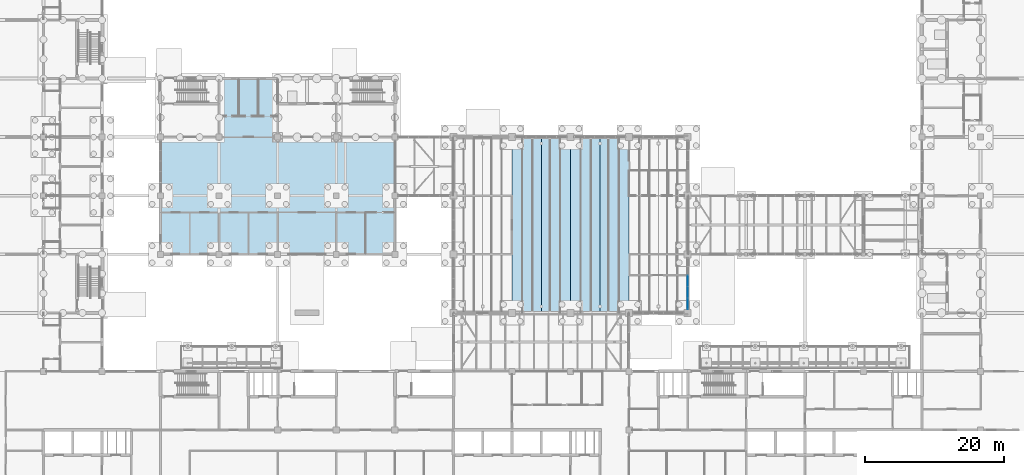
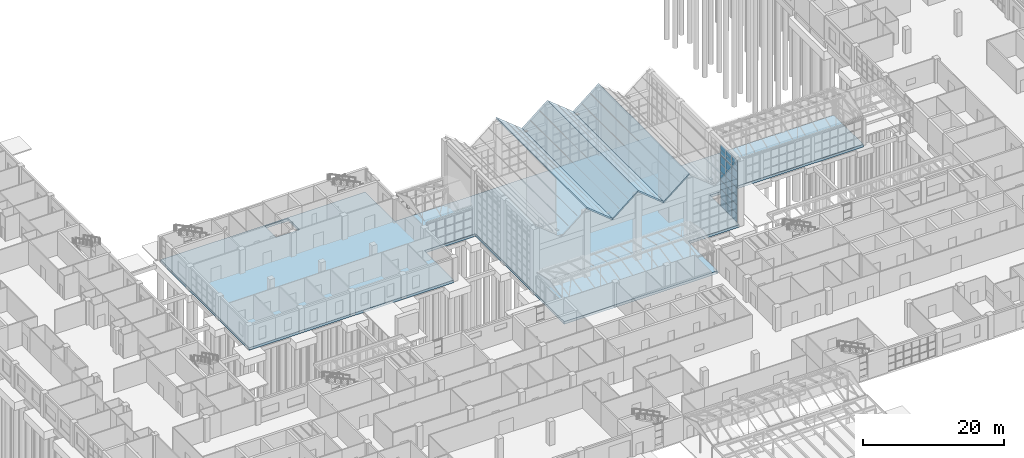
# One storey, part 85 of 138: 24 plates, 5 slabs, 3 elements without a shape of their own.
"""IFC4 building model written with IfcOpenShell, lengths in metres."""

from ifc_helpers import new_model, si_unit, direction, frame, origin, origin_2d, place, context, subcontext, project, spatial, polyline, rectangle, outline, extrude, material, layer, layer_set, type_object, element, aggregate, save


model = new_model("IFC4")

# Units and contexts
model_context = context("Model", 3, precision=1e-05, world=origin(), true_north=direction((0.0, 1.0)))
body_context = subcontext(model_context, "Body", "Model", "MODEL_VIEW")
ifc_project = project(units=[si_unit("LENGTHUNIT", "METRE"), si_unit("AREAUNIT", "SQUARE_METRE"), si_unit("VOLUMEUNIT", "CUBIC_METRE"), si_unit("PLANEANGLEUNIT", "RADIAN"), si_unit("MASSUNIT", "GRAM", prefix="KILO")], contexts=[model_context])

# Site, building, storey
site_placement = place(None, origin())
site = spatial("IfcSite", under=ifc_project, at=site_placement, CompositionType="ELEMENT")
building_placement = place(site_placement, origin())
building = spatial("IfcBuilding", under=site, at=building_placement, Name="Yavir Park General Hospital", CompositionType="ELEMENT")
storey_placement = place(building_placement, origin())
storey = spatial("IfcBuildingStorey", under=building, at=storey_placement, Name="L00", CompositionType="ELEMENT", Elevation=0.0)

# Curtain wall, plates
ifc_material_1 = material(Name="Aluminium curtain wall frame with insulated glazing", Category="aluminium")
curtain_wall_type_1 = type_object("IfcCurtainWallType", Name="Main hall glazing, clerestory band, 1970 high, 1400 module", PredefinedType="NOTDEFINED", material=ifc_material_1)
curtain_wall_1_placement = place(storey_placement, origin())
curtain_wall_1 = element("IfcCurtainWall", 1, at=curtain_wall_1_placement, inside=storey, type_object=curtain_wall_type_1, Name="CW35 L00-060", PredefinedType="NOTDEFINED")
ifc_material_2 = material(Name="Insulated glazed unit 30 mm, low-e coating")
ifc_layer_1 = layer(ifc_material_2, 0.0400390625)
ifc_layer_set_1 = layer_set([ifc_layer_1], Name="Insulated glazed unit 30 mm, low-e coating")
plate_type_1 = type_object("IfcPlateType", Name="Main hall glazing, clerestory band, 1970 high panel 40", PredefinedType="CURTAIN_PANEL", material=ifc_layer_set_1)
plate_1_placement = place(storey_placement, frame((109.199951171875, 43.3291015625, 8.89501953125), z_axis=(0.0, 0.0, 1.0), x_axis=(0.0, 1.0, 0.0)))
plate_1 = element("IfcPlate", 2, at=plate_1_placement, type_object=plate_type_1, Name="CW35 panel 1.1", PredefinedType="CURTAIN_PANEL", context=body_context, shape_type="SweptSolid", body=[
    extrude(rectangle(XDim=1.558349609375, YDim=0.0400390625, at=origin_2d()), origin(), (0.0, 0.0, 1.0), 0.909912109375),
])
plate_2_placement = place(storey_placement, frame((109.199951171875, 43.3291015625, 9.85498046875), z_axis=(0.0, 0.0, 1.0), x_axis=(0.0, 1.0, 0.0)))
plate_2 = element("IfcPlate", 3, at=plate_2_placement, type_object=plate_type_1, Name="CW35 panel 1.2", PredefinedType="CURTAIN_PANEL", context=body_context, shape_type="SweptSolid", body=[
    extrude(rectangle(XDim=1.558349609375, YDim=0.0400390625, at=origin_2d()), origin(), (0.0, 0.0, 1.0), 0.909912109375),
])
plate_3_placement = place(storey_placement, frame((109.199951171875, 44.949951171875, 8.89501953125), z_axis=(0.0, 0.0, 1.0), x_axis=(0.0, 1.0, 0.0)))
plate_3 = element("IfcPlate", 4, at=plate_3_placement, type_object=plate_type_1, Name="CW35 panel 2.1", PredefinedType="CURTAIN_PANEL", context=body_context, shape_type="SweptSolid", body=[
    extrude(rectangle(XDim=1.583251953125, YDim=0.0400390625, at=origin_2d()), origin(), (0.0, 0.0, 1.0), 0.909912109375),
])
plate_4_placement = place(storey_placement, frame((109.199951171875, 44.949951171875, 9.85498046875), z_axis=(0.0, 0.0, 1.0), x_axis=(0.0, 1.0, 0.0)))
plate_4 = element("IfcPlate", 5, at=plate_4_placement, type_object=plate_type_1, Name="CW35 panel 2.2", PredefinedType="CURTAIN_PANEL", context=body_context, shape_type="SweptSolid", body=[
    extrude(rectangle(XDim=1.583251953125, YDim=0.0400390625, at=origin_2d()), origin(), (0.0, 0.0, 1.0), 0.909912109375),
])
plate_5_placement = place(storey_placement, frame((109.199951171875, 46.57080078125, 8.89501953125), z_axis=(0.0, 0.0, 1.0), x_axis=(0.0, 1.0, 0.0)))
plate_5 = element("IfcPlate", 6, at=plate_5_placement, type_object=plate_type_1, Name="CW35 panel 3.1", PredefinedType="CURTAIN_PANEL", context=body_context, shape_type="SweptSolid", body=[
    extrude(rectangle(XDim=1.558349609375, YDim=0.0400390625, at=origin_2d()), origin(), (0.0, 0.0, 1.0), 0.909912109375),
])
plate_6_placement = place(storey_placement, frame((109.199951171875, 46.57080078125, 9.85498046875), z_axis=(0.0, 0.0, 1.0), x_axis=(0.0, 1.0, 0.0)))
plate_6 = element("IfcPlate", 7, at=plate_6_placement, type_object=plate_type_1, Name="CW35 panel 3.2", PredefinedType="CURTAIN_PANEL", context=body_context, shape_type="SweptSolid", body=[
    extrude(rectangle(XDim=1.558349609375, YDim=0.0400390625, at=origin_2d()), origin(), (0.0, 0.0, 1.0), 0.909912109375),
])
aggregate(curtain_wall_1, [plate_1, plate_2, plate_3, plate_4, plate_5, plate_6])

ifc_material_3 = material(Name="Aluminium curtain wall frame with insulated glazing", Category="aluminium")
curtain_wall_type_2 = type_object("IfcCurtainWallType", Name="Main hall glazing, lower band, 4500 high, 1400 module", PredefinedType="NOTDEFINED", material=ifc_material_3)
curtain_wall_2_placement = place(storey_placement, origin())
curtain_wall_2 = element("IfcCurtainWall", 8, at=curtain_wall_2_placement, inside=storey, type_object=curtain_wall_type_2, Name="CW33 L00-058", PredefinedType="NOTDEFINED")
ifc_material_4 = material(Name="Solar-control insulated glazed unit 40 mm")
ifc_layer_2 = layer(ifc_material_4, 0.050048828125)
ifc_layer_set_2 = layer_set([ifc_layer_2], Name="Solar-control insulated glazed unit 40 mm")
plate_type_2 = type_object("IfcPlateType", Name="Main hall glazing, lower band, 4500 high panel 50", PredefinedType="CURTAIN_PANEL", material=ifc_layer_set_2)
plate_7_placement = place(storey_placement, frame((109.199951171875, 43.331787109375, 0.06005859375), z_axis=(0.0, 0.0, 1.0), x_axis=(0.0, 1.0, 0.0)))
plate_7 = element("IfcPlate", 9, at=plate_7_placement, type_object=plate_type_2, Name="CW33 panel 1.1", PredefinedType="CURTAIN_PANEL", context=body_context, shape_type="SweptSolid", body=[
    extrude(rectangle(XDim=1.543212890625, YDim=0.050048828125, at=origin_2d()), origin(), (0.0, 0.0, 1.0), 1.409912109375),
])
plate_8_placement = place(storey_placement, frame((109.199951171875, 43.331787109375, 1.530029296875), z_axis=(0.0, 0.0, 1.0), x_axis=(0.0, 1.0, 0.0)))
plate_8 = element("IfcPlate", 10, at=plate_8_placement, type_object=plate_type_2, Name="CW33 panel 1.2", PredefinedType="CURTAIN_PANEL", context=body_context, shape_type="SweptSolid", body=[
    extrude(rectangle(XDim=1.543212890625, YDim=0.050048828125, at=origin_2d()), origin(), (0.0, 0.0, 1.0), 1.43994140625),
])
plate_9_placement = place(storey_placement, frame((109.199951171875, 43.331787109375, 3.0302734375), z_axis=(0.0, 0.0, 1.0), x_axis=(0.0, 1.0, 0.0)))
plate_9 = element("IfcPlate", 11, at=plate_9_placement, type_object=plate_type_2, Name="CW33 panel 1.3", PredefinedType="CURTAIN_PANEL", context=body_context, shape_type="SweptSolid", body=[
    extrude(rectangle(XDim=1.543212890625, YDim=0.050048828125, at=origin_2d()), origin(), (0.0, 0.0, 1.0), 1.409912109375),
])
plate_10_placement = place(storey_placement, frame((109.199951171875, 44.949951171875, 0.06005859375), z_axis=(0.0, 0.0, 1.0), x_axis=(0.0, 1.0, 0.0)))
plate_10 = element("IfcPlate", 12, at=plate_10_placement, type_object=plate_type_2, Name="CW33 panel 2.1", PredefinedType="CURTAIN_PANEL", context=body_context, shape_type="SweptSolid", body=[
    extrude(rectangle(XDim=1.5732421875, YDim=0.050048828125, at=origin_2d()), origin(), (0.0, 0.0, 1.0), 1.409912109375),
])
plate_11_placement = place(storey_placement, frame((109.199951171875, 44.949951171875, 1.530029296875), z_axis=(0.0, 0.0, 1.0), x_axis=(0.0, 1.0, 0.0)))
plate_11 = element("IfcPlate", 13, at=plate_11_placement, type_object=plate_type_2, Name="CW33 panel 2.2", PredefinedType="CURTAIN_PANEL", context=body_context, shape_type="SweptSolid", body=[
    extrude(rectangle(XDim=1.5732421875, YDim=0.050048828125, at=origin_2d()), origin(), (0.0, 0.0, 1.0), 1.43994140625),
])
plate_12_placement = place(storey_placement, frame((109.199951171875, 44.949951171875, 3.0302734375), z_axis=(0.0, 0.0, 1.0), x_axis=(0.0, 1.0, 0.0)))
plate_12 = element("IfcPlate", 14, at=plate_12_placement, type_object=plate_type_2, Name="CW33 panel 2.3", PredefinedType="CURTAIN_PANEL", context=body_context, shape_type="SweptSolid", body=[
    extrude(rectangle(XDim=1.5732421875, YDim=0.050048828125, at=origin_2d()), origin(), (0.0, 0.0, 1.0), 1.409912109375),
])
plate_13_placement = place(storey_placement, frame((109.199951171875, 46.568359375, 0.06005859375), z_axis=(0.0, 0.0, 1.0), x_axis=(0.0, 1.0, 0.0)))
plate_13 = element("IfcPlate", 15, at=plate_13_placement, type_object=plate_type_2, Name="CW33 panel 3.1", PredefinedType="CURTAIN_PANEL", context=body_context, shape_type="SweptSolid", body=[
    extrude(rectangle(XDim=1.543212890625, YDim=0.050048828125, at=origin_2d()), origin(), (0.0, 0.0, 1.0), 1.409912109375),
])
plate_14_placement = place(storey_placement, frame((109.199951171875, 46.568359375, 1.530029296875), z_axis=(0.0, 0.0, 1.0), x_axis=(0.0, 1.0, 0.0)))
plate_14 = element("IfcPlate", 16, at=plate_14_placement, type_object=plate_type_2, Name="CW33 panel 3.2", PredefinedType="CURTAIN_PANEL", context=body_context, shape_type="SweptSolid", body=[
    extrude(rectangle(XDim=1.543212890625, YDim=0.050048828125, at=origin_2d()), origin(), (0.0, 0.0, 1.0), 1.43994140625),
])
plate_15_placement = place(storey_placement, frame((109.199951171875, 46.568359375, 3.0302734375), z_axis=(0.0, 0.0, 1.0), x_axis=(0.0, 1.0, 0.0)))
plate_15 = element("IfcPlate", 17, at=plate_15_placement, type_object=plate_type_2, Name="CW33 panel 3.3", PredefinedType="CURTAIN_PANEL", context=body_context, shape_type="SweptSolid", body=[
    extrude(rectangle(XDim=1.543212890625, YDim=0.050048828125, at=origin_2d()), origin(), (0.0, 0.0, 1.0), 1.409912109375),
])
aggregate(curtain_wall_2, [plate_7, plate_8, plate_9, plate_10, plate_11, plate_12, plate_13, plate_14, plate_15])

ifc_material_5 = material(Name="Aluminium curtain wall frame with insulated glazing", Category="aluminium")
curtain_wall_type_3 = type_object("IfcCurtainWallType", Name="Main hall glazing, upper band, 4345 high, 1400 module", PredefinedType="NOTDEFINED", material=ifc_material_5)
curtain_wall_3_placement = place(storey_placement, origin())
curtain_wall_3 = element("IfcCurtainWall", 18, at=curtain_wall_3_placement, inside=storey, type_object=curtain_wall_type_3, Name="CW52 L00-059", PredefinedType="NOTDEFINED")
ifc_material_6 = material(Name="Solar-control insulated glazed unit 40 mm")
ifc_layer_3 = layer(ifc_material_6, 0.0400390625)
ifc_layer_set_3 = layer_set([ifc_layer_3], Name="Solar-control insulated glazed unit 40 mm")
plate_type_3 = type_object("IfcPlateType", Name="Main hall glazing, upper band, 4345 high panel 40", PredefinedType="CURTAIN_PANEL", material=ifc_layer_set_3)
plate_16_placement = place(storey_placement, frame((109.199951171875, 43.331787109375, 4.56005859375), z_axis=(0.0, 0.0, 1.0), x_axis=(0.0, 1.0, 0.0)))
plate_16 = element("IfcPlate", 19, at=plate_16_placement, type_object=plate_type_3, Name="CW52 panel 1.1", PredefinedType="CURTAIN_PANEL", context=body_context, shape_type="SweptSolid", body=[
    extrude(rectangle(XDim=1.543212890625, YDim=0.0400390625, at=origin_2d()), origin(), (0.0, 0.0, 1.0), 1.3583984375),
])
plate_17_placement = place(storey_placement, frame((109.199951171875, 43.331787109375, 5.978515625), z_axis=(0.0, 0.0, 1.0), x_axis=(0.0, 1.0, 0.0)))
plate_17 = element("IfcPlate", 20, at=plate_17_placement, type_object=plate_type_3, Name="CW52 panel 1.2", PredefinedType="CURTAIN_PANEL", context=body_context, shape_type="SweptSolid", body=[
    extrude(rectangle(XDim=1.543212890625, YDim=0.0400390625, at=origin_2d()), origin(), (0.0, 0.0, 1.0), 1.388427734375),
])
plate_18_placement = place(storey_placement, frame((109.199951171875, 43.331787109375, 7.426513671875), z_axis=(0.0, 0.0, 1.0), x_axis=(0.0, 1.0, 0.0)))
plate_18 = element("IfcPlate", 21, at=plate_18_placement, type_object=plate_type_3, Name="CW52 panel 1.3", PredefinedType="CURTAIN_PANEL", context=body_context, shape_type="SweptSolid", body=[
    extrude(rectangle(XDim=1.543212890625, YDim=0.0400390625, at=origin_2d()), origin(), (0.0, 0.0, 1.0), 1.3583984375),
])
plate_19_placement = place(storey_placement, frame((109.199951171875, 44.949951171875, 4.56005859375), z_axis=(0.0, 0.0, 1.0), x_axis=(0.0, 1.0, 0.0)))
plate_19 = element("IfcPlate", 22, at=plate_19_placement, type_object=plate_type_3, Name="CW52 panel 2.1", PredefinedType="CURTAIN_PANEL", context=body_context, shape_type="SweptSolid", body=[
    extrude(rectangle(XDim=1.5732421875, YDim=0.0400390625, at=origin_2d()), origin(), (0.0, 0.0, 1.0), 1.3583984375),
])
plate_20_placement = place(storey_placement, frame((109.199951171875, 44.949951171875, 5.978515625), z_axis=(0.0, 0.0, 1.0), x_axis=(0.0, 1.0, 0.0)))
plate_20 = element("IfcPlate", 23, at=plate_20_placement, type_object=plate_type_3, Name="CW52 panel 2.2", PredefinedType="CURTAIN_PANEL", context=body_context, shape_type="SweptSolid", body=[
    extrude(rectangle(XDim=1.5732421875, YDim=0.0400390625, at=origin_2d()), origin(), (0.0, 0.0, 1.0), 1.388427734375),
])
plate_21_placement = place(storey_placement, frame((109.199951171875, 44.949951171875, 7.426513671875), z_axis=(0.0, 0.0, 1.0), x_axis=(0.0, 1.0, 0.0)))
plate_21 = element("IfcPlate", 24, at=plate_21_placement, type_object=plate_type_3, Name="CW52 panel 2.3", PredefinedType="CURTAIN_PANEL", context=body_context, shape_type="SweptSolid", body=[
    extrude(rectangle(XDim=1.5732421875, YDim=0.0400390625, at=origin_2d()), origin(), (0.0, 0.0, 1.0), 1.3583984375),
])
plate_22_placement = place(storey_placement, frame((109.199951171875, 46.568359375, 4.56005859375), z_axis=(0.0, 0.0, 1.0), x_axis=(0.0, 1.0, 0.0)))
plate_22 = element("IfcPlate", 25, at=plate_22_placement, type_object=plate_type_3, Name="CW52 panel 3.1", PredefinedType="CURTAIN_PANEL", context=body_context, shape_type="SweptSolid", body=[
    extrude(rectangle(XDim=1.543212890625, YDim=0.0400390625, at=origin_2d()), origin(), (0.0, 0.0, 1.0), 1.3583984375),
])
plate_23_placement = place(storey_placement, frame((109.199951171875, 46.568359375, 5.978515625), z_axis=(0.0, 0.0, 1.0), x_axis=(0.0, 1.0, 0.0)))
plate_23 = element("IfcPlate", 26, at=plate_23_placement, type_object=plate_type_3, Name="CW52 panel 3.2", PredefinedType="CURTAIN_PANEL", context=body_context, shape_type="SweptSolid", body=[
    extrude(rectangle(XDim=1.543212890625, YDim=0.0400390625, at=origin_2d()), origin(), (0.0, 0.0, 1.0), 1.388427734375),
])
plate_24_placement = place(storey_placement, frame((109.199951171875, 46.568359375, 7.426513671875), z_axis=(0.0, 0.0, 1.0), x_axis=(0.0, 1.0, 0.0)))
plate_24 = element("IfcPlate", 27, at=plate_24_placement, type_object=plate_type_3, Name="CW52 panel 3.3", PredefinedType="CURTAIN_PANEL", context=body_context, shape_type="SweptSolid", body=[
    extrude(rectangle(XDim=1.543212890625, YDim=0.0400390625, at=origin_2d()), origin(), (0.0, 0.0, 1.0), 1.3583984375),
])
aggregate(curtain_wall_3, [plate_16, plate_17, plate_18, plate_19, plate_20, plate_21, plate_22, plate_23, plate_24])

# Slabs
ifc_material_7 = material(Name="Concrete C35/45", Category="concrete")
ifc_layer_4 = layer(ifc_material_7, 0.449951171875)
ifc_layer_set_4 = layer_set([ifc_layer_4], Name="Concrete C35/45")
slab_type_1 = type_object("IfcSlabType", Name="RC SLAB BASESLAB 450", PredefinedType="BASESLAB", material=ifc_layer_set_4)
slab_1_placement = place(storey_placement, frame((0.0, 0.0, -0.4501953125)))
element("IfcSlab", 28, at=slab_1_placement, inside=storey, type_object=slab_type_1, Name="S:L00:2", PredefinedType="BASESLAB", context=body_context, shape_type="SweptSolid", body=[
    extrude(outline(polyline([(75.60009765625, 58.800048828125), (75.60009765625, 33.60009765625), (100.800048828125, 33.60009765625), (100.800048828125, 42.0), (109.199951171875, 42.0), (109.199951171875, 50.39990234375), (134.39990234375, 50.39990234375), (134.39990234375, 58.800048828125), (109.199951171875, 58.800048828125), (109.199951171875, 67.199951171875), (67.199951171875, 67.199951171875), (67.199951171875, 75.60009765625), (33.60009765625, 75.60009765625), (33.60009765625, 50.39990234375), (67.199951171875, 50.39990234375), (67.199951171875, 58.800048828125), (75.60009765625, 58.800048828125)]), holes=[polyline([(54.39990234375, 75.39990234375), (54.39990234375, 72.199951171875), (50.60009765625, 72.199951171875), (50.60009765625, 75.39990234375), (54.39990234375, 75.39990234375)])]), origin(), (0.0, 0.0, 1.0), 0.4501953125),
])
ifc_material_8 = material(Name="Concrete C35/45", Category="concrete")
ifc_layer_5 = layer(ifc_material_8, 0.219970703125)
ifc_layer_set_5 = layer_set([ifc_layer_5], Name="Concrete C35/45")
slab_type_2 = type_object("IfcSlabType", Name="RC SLAB ROOF 220", PredefinedType="ROOF", material=ifc_layer_set_5)
slab_2_placement = place(storey_placement, frame((84.0, 41.699951171875, 12.0), z_axis=(0.0, 0.0, 1.0), x_axis=(1.0, 0.0, 0.0)))
element("IfcSlab", 29, at=slab_2_placement, inside=storey, type_object=slab_type_2, Name="RF:HALL:F03", PredefinedType="ROOF", context=body_context, shape_type="SweptSolid", body=[
    extrude(outline(polyline([(0.0, 0.0), (4.199951171875, -3.39990234375), (4.199951171875, -3.682861328125), (0.0, -0.282958984375), (0.0, 0.0)])), frame((0.0, 25.800048828125, 0.0), z_axis=(0.0, -1.0, 0.0), x_axis=(1.0, 0.0, 0.0)), (0.0, 0.0, 1.0), 25.800048828125),
])
slab_3_placement = place(storey_placement, frame((88.199951171875, 41.699951171875, 8.60009765625), z_axis=(0.0, 0.0, 1.0), x_axis=(1.0, 0.0, 0.0)))
element("IfcSlab", 30, at=slab_3_placement, inside=storey, type_object=slab_type_2, Name="RF:HALL:F04", PredefinedType="ROOF", context=body_context, shape_type="SweptSolid", body=[
    extrude(outline(polyline([(0.0, 0.0), (4.199951171875, 3.39990234375), (4.199951171875, 3.116943359375), (0.0, -0.282958984375), (0.0, 0.0)])), frame((0.0, 25.800048828125, 0.0), z_axis=(0.0, -1.0, 0.0), x_axis=(1.0, 0.0, 0.0)), (0.0, 0.0, 1.0), 25.800048828125),
])
slab_4_placement = place(storey_placement, frame((92.39990234375, 41.699951171875, 12.0), z_axis=(0.0, 0.0, 1.0), x_axis=(1.0, 0.0, 0.0)))
element("IfcSlab", 31, at=slab_4_placement, inside=storey, type_object=slab_type_2, Name="RF:HALL:F05", PredefinedType="ROOF", context=body_context, shape_type="SweptSolid", body=[
    extrude(outline(polyline([(0.0, 0.0), (4.2001953125, -3.39990234375), (4.2001953125, -3.682861328125), (0.0, -0.282958984375), (0.0, 0.0)])), frame((0.0, 25.800048828125, 0.0), z_axis=(0.0, -1.0, 0.0), x_axis=(1.0, 0.0, 0.0)), (0.0, 0.0, 1.0), 25.800048828125),
])
slab_5_placement = place(storey_placement, frame((96.60009765625, 41.699951171875, 8.60009765625), z_axis=(0.0, 0.0, 1.0), x_axis=(1.0, 0.0, 0.0)))
element("IfcSlab", 32, at=slab_5_placement, inside=storey, type_object=slab_type_2, Name="RF:HALL:F06", PredefinedType="ROOF", context=body_context, shape_type="SweptSolid", body=[
    extrude(outline(polyline([(0.0, 0.0), (4.199951171875, 3.39990234375), (4.199951171875, 3.116943359375), (0.0, -0.282958984375), (0.0, 0.0)])), frame((0.0, 25.800048828125, 0.0), z_axis=(0.0, -1.0, 0.0), x_axis=(1.0, 0.0, 0.0)), (0.0, 0.0, 1.0), 25.800048828125),
])

save(model, "model.ifc")
